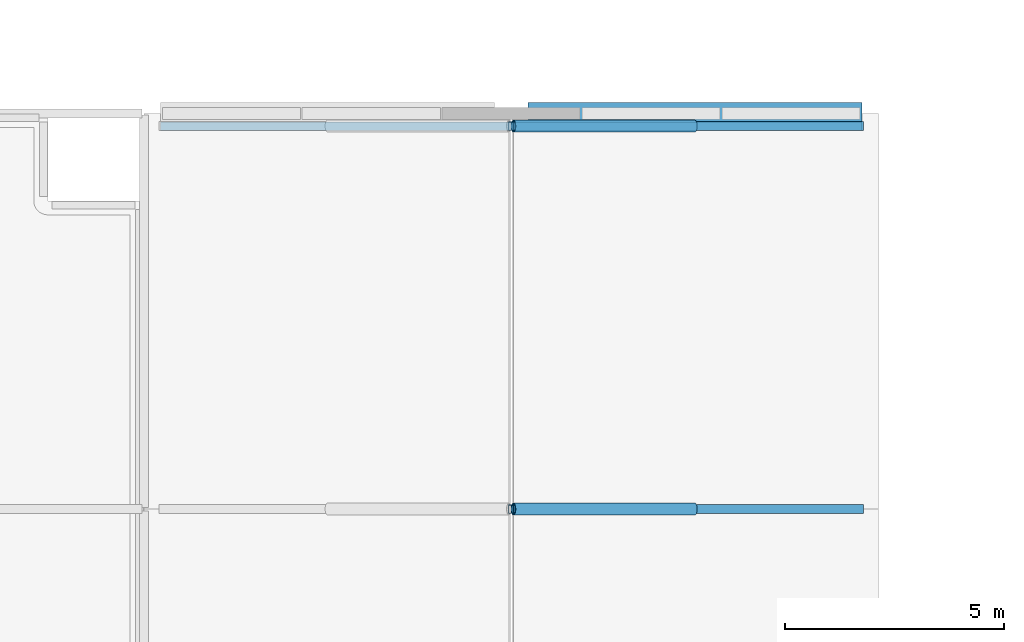
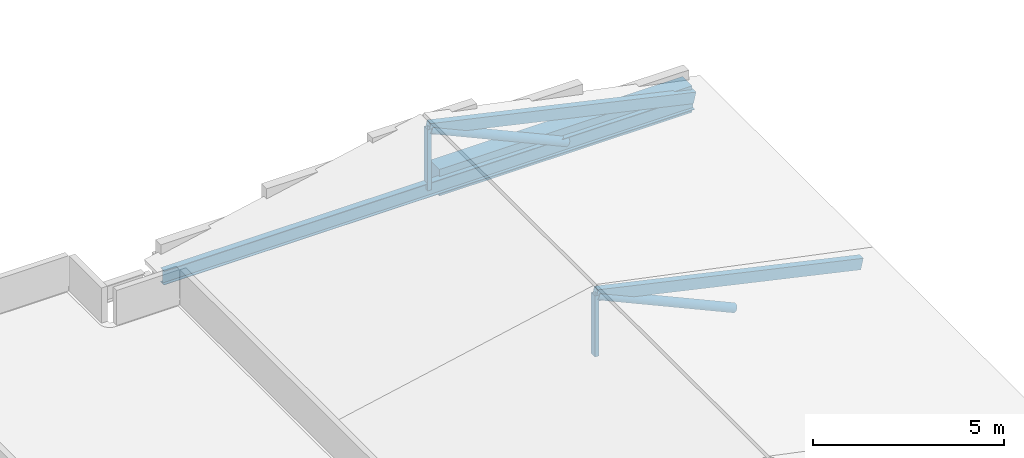
# One storey, part 5 of 28: 7 members, 1 beam.
"""IFC4 building model written with IfcOpenShell, lengths in metres."""

from ifc_helpers import new_model, si_unit, direction, frame, origin, origin_2d, place, context, subcontext, project, spatial, rectangle, hollow_rectangle, hollow_circle, i_section, extrude, material, material_profile, profile_set, type_object, element, save


model = new_model("IFC4")

# Units and contexts
model_context = context("Model", 3, precision=1e-05, world=origin(), true_north=direction((0.0, 1.0)))
body_context = subcontext(model_context, "Body", "Model", "MODEL_VIEW")
ifc_project = project(units=[si_unit("LENGTHUNIT", "METRE"), si_unit("AREAUNIT", "SQUARE_METRE"), si_unit("VOLUMEUNIT", "CUBIC_METRE"), si_unit("PLANEANGLEUNIT", "RADIAN"), si_unit("MASSUNIT", "GRAM", prefix="KILO")], contexts=[model_context])

# Site, building, storey
site_placement = place(None, origin())
site = spatial("IfcSite", under=ifc_project, at=site_placement, CompositionType="ELEMENT")
building_placement = place(site_placement, origin())
building = spatial("IfcBuilding", under=site, at=building_placement, Name="Khurvash Pelagic Aquarium", CompositionType="ELEMENT")
storey_placement = place(building_placement, frame((0.0, 0.0, 20.10009765625)))
storey = spatial("IfcBuildingStorey", under=building, at=storey_placement, Name="L04", CompositionType="ELEMENT", Elevation=20.10009765625)

# Beam
ifc_material_1 = material(Name="Concrete C40/50", Category="concrete")
ifc_material_profile_1 = material_profile(ifc_material_1, rectangle(XDim=0.5, YDim=0.85009765625, at=origin_2d()), Name="RC500X850")
ifc_profile_set_1 = profile_set([ifc_material_profile_1], Name="Concrete C40/50")
beam_type = type_object("IfcBeamType", Name="SEB-03", PredefinedType="SPANDREL", material=ifc_profile_set_1)
beam_placement = place(storey_placement, frame((25.580078125, 93.10009765625, -0.425048828125), z_axis=(1.0, 0.0, 0.0), x_axis=(0.0, 1.0, 0.0)))
element("IfcBeam", 1, at=beam_placement, inside=storey, type_object=beam_type, Name="L04 Education North Gable Spandrel Beam SEB-03", PredefinedType="SPANDREL", context=body_context, shape_type="SweptSolid", body=[
    extrude(rectangle(XDim=0.5, YDim=0.85009765625, at=origin_2d()), origin(), (0.0, 0.0, 1.0), 7.639892578125),
])

# Members
ifc_material_2 = material(Name="Steel S355J2", Category="steel")
ifc_material_profile_2 = material_profile(ifc_material_2, hollow_rectangle(XDim=0.199951171875, YDim=0.35009765625, WallThickness=0.012451171875, at=origin_2d()), Name="RHS350X200X12")
ifc_profile_set_2 = profile_set([ifc_material_profile_2], Name="Steel S355J2")
member_type_1 = type_object("IfcMemberType", Name="TC-03", PredefinedType="CHORD", material=ifc_profile_set_2)
for number, where, z_axis, x_axis, name in (
    (2, (25.199951171875, 84.050048828125, 1.5), (0.97572570839, 0.0, -0.21899621455), (0.0, 1.0, 0.0), "L04 Education Wing Truss Pitched Top Chord East"),
    (3, (25.199951171875, 92.81005859375, 1.5), (0.97572570839, 0.0, -0.21899621455), (0.0, 1.0, 0.0), "L04 Education Wing Truss Pitched Top Chord East"),
):
    element("IfcMember", number, at=place(storey_placement, frame(where, z_axis=z_axis, x_axis=x_axis)), inside=storey, type_object=member_type_1, Name=name, PredefinedType="CHORD", context=body_context, shape_type="SweptSolid", body=[
        extrude(hollow_rectangle(XDim=0.199951171875, YDim=0.35009765625, WallThickness=0.012451171875, at=origin_2d()), origin(), (0.0, 0.0, 1.0), 8.219482421875),
    ])
ifc_material_profile_3 = material_profile(ifc_material_2, i_section(OverallWidth=0.18994140625, OverallDepth=0.449951171875, WebThickness=0.009521484375, FlangeThickness=0.0146484375, at=origin_2d()), Name="IPE450")
ifc_profile_set_3 = profile_set([ifc_material_profile_3], Name="Steel S355J2")
member_type_2 = type_object("IfcMemberType", Name="TC-04", PredefinedType="CHORD", material=ifc_profile_set_3)
member_placement = place(storey_placement, frame((17.179931640625, 92.81005859375, -0.4501953125), z_axis=(1.0, 0.0, 0.0), x_axis=(0.0, 1.0, 0.0)))
element("IfcMember", 4, at=member_placement, inside=storey, type_object=member_type_2, Name="L04 Education Wing Truss Bottom Chord", PredefinedType="CHORD", context=body_context, shape_type="SweptSolid", body=[
    extrude(i_section(OverallWidth=0.18994140625, OverallDepth=0.449951171875, WebThickness=0.009521484375, FlangeThickness=0.0146484375, at=origin_2d()), origin(), (0.0, 0.0, 1.0), 16.0400390625),
])
ifc_material_profile_4 = material_profile(ifc_material_2, hollow_circle(Radius=0.136474609375, WallThickness=0.012451171875, at=origin_2d()), Name="CHS273X12")
ifc_profile_set_4 = profile_set([ifc_material_profile_4], Name="Steel S355J2")
member_type_3 = type_object("IfcMemberType", Name="TD-03", PredefinedType="BRACE", material=ifc_profile_set_4)
for number, where, z_axis, x_axis, name in (
    (5, (29.39990234375, 84.050048828125, -0.420166015625), (-0.911702594731, 0.0, 0.410850798661), (0.0, -1.0, 0.0), "L04 Education Wing Truss Web Diagonal"),
    (6, (29.39990234375, 92.81005859375, -0.420166015625), (-0.911702594731, 0.0, 0.410850798661), (0.0, -1.0, 0.0), "L04 Education Wing Truss Web Diagonal"),
):
    element("IfcMember", number, at=place(storey_placement, frame(where, z_axis=z_axis, x_axis=x_axis)), inside=storey, type_object=member_type_3, Name=name, PredefinedType="BRACE", context=body_context, shape_type="SweptSolid", body=[
        extrude(hollow_circle(Radius=0.136474609375, WallThickness=0.012451171875, at=origin_2d()), origin(), (0.0, 0.0, 1.0), 4.5517578125),
    ])
ifc_material_profile_5 = material_profile(ifc_material_2, hollow_rectangle(XDim=0.1201171875, YDim=0.199951171875, WallThickness=0.008056640625, at=origin_2d()), Name="RHS200X120X8")
ifc_profile_set_5 = profile_set([ifc_material_profile_5], Name="Steel S355J2")
member_type_4 = type_object("IfcMemberType", Name="TV-03", PredefinedType="POST", material=ifc_profile_set_5)
for number, where, z_axis, x_axis, name in (
    (7, (25.199951171875, 84.050048828125, -0.4501953125), (0.0, 0.0, 1.0), (1.0, 0.0, 0.0), "L04 Education Wing Truss King Post"),
    (8, (25.199951171875, 92.81005859375, -0.4501953125), (0.0, 0.0, 1.0), (1.0, 0.0, 0.0), "L04 Education Wing Truss King Post"),
):
    element("IfcMember", number, at=place(storey_placement, frame(where, z_axis=z_axis, x_axis=x_axis)), inside=storey, type_object=member_type_4, Name=name, PredefinedType="POST", context=body_context, shape_type="SweptSolid", body=[
        extrude(hollow_rectangle(XDim=0.1201171875, YDim=0.199951171875, WallThickness=0.008056640625, at=origin_2d()), origin(), (0.0, 0.0, 1.0), 1.9501953125),
    ])

save(model, "model.ifc")
